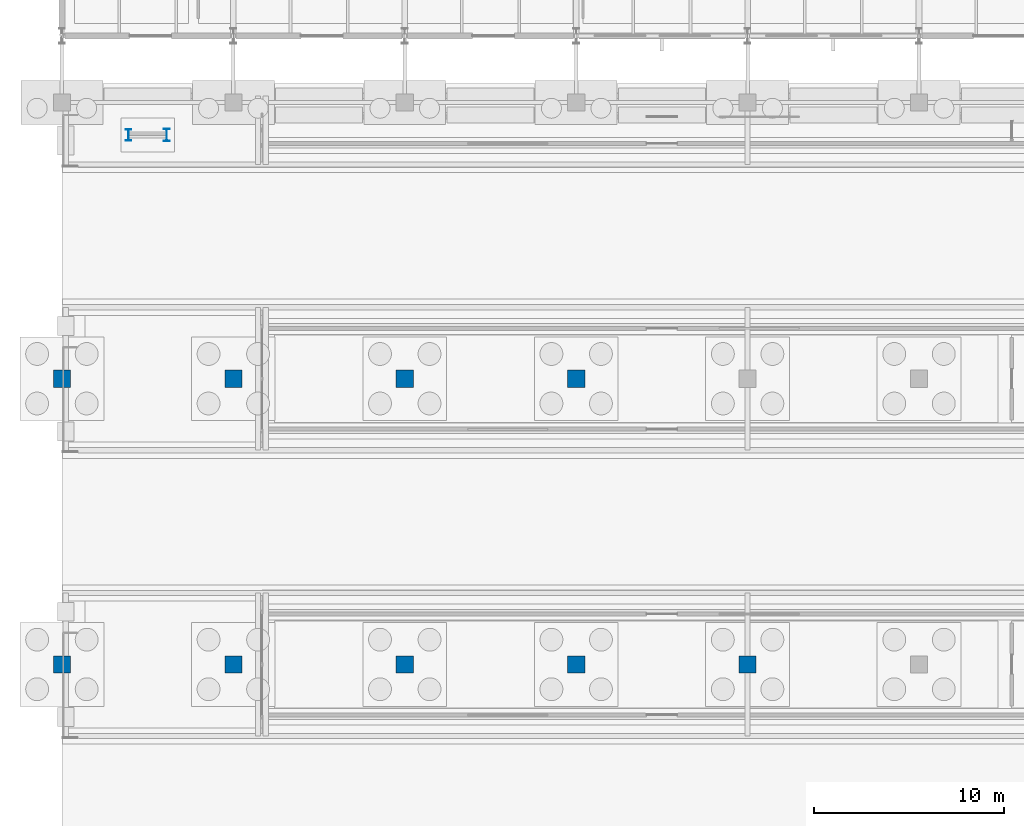
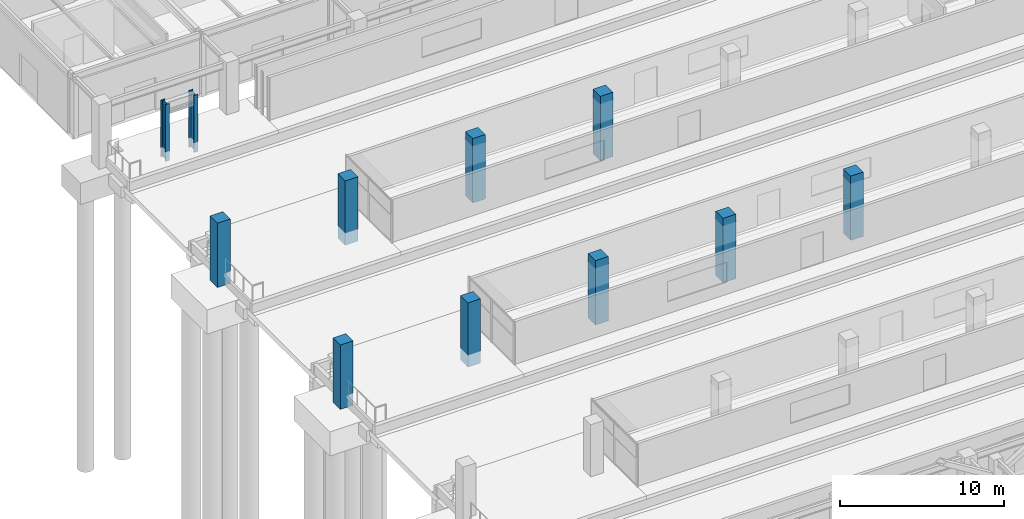
# One storey, part 18 of 160: 11 columns.
"""IFC4 building model written with IfcOpenShell, lengths in metres."""

from ifc_helpers import new_model, si_unit, direction, frame, origin, origin_2d, place, context, subcontext, project, spatial, rectangle, i_section, extrude, material, material_profile, profile_set, type_object, element, save


model = new_model("IFC4")

# Units and contexts
model_context = context("Model", 3, precision=1e-05, world=origin(), true_north=direction((0.0, 1.0)))
body_context = subcontext(model_context, "Body", "Model", "MODEL_VIEW")
ifc_project = project(units=[si_unit("LENGTHUNIT", "METRE"), si_unit("AREAUNIT", "SQUARE_METRE"), si_unit("VOLUMEUNIT", "CUBIC_METRE"), si_unit("PLANEANGLEUNIT", "RADIAN"), si_unit("MASSUNIT", "GRAM", prefix="KILO")], contexts=[model_context])

# Site, building, storey
site_placement = place(None, origin())
site = spatial("IfcSite", under=ifc_project, at=site_placement, CompositionType="ELEMENT")
building_placement = place(site_placement, origin())
building = spatial("IfcBuilding", under=site, at=building_placement, Name="Marlcrest Central Station", CompositionType="ELEMENT")
storey_placement = place(building_placement, origin())
storey = spatial("IfcBuildingStorey", under=building, at=storey_placement, Name="L00", CompositionType="ELEMENT", Elevation=0.0)

# Columns
ifc_material_1 = material(Name="Concrete C50/60", Category="concrete")
ifc_material_profile_1 = material_profile(ifc_material_1, rectangle(XDim=0.89990234375, YDim=0.89990234375, at=origin_2d()), Name="RC 900x900")
ifc_profile_set_1 = profile_set([ifc_material_profile_1], Name="Concrete C50/60")
column_type_1 = type_object("IfcColumnType", Name="RC-08", PredefinedType="COLUMN", material=ifc_profile_set_1)
for number, where, z_axis, x_axis, name in (
    (1, (0.0, 66.0, 0.0), (0.0, 0.0, 1.0), (1.0, 0.0, 0.0), "col-RC-08-L00-0416"),
    (2, (0.0, 81.0, 0.0), (0.0, 0.0, 1.0), (1.0, 0.0, 0.0), "col-RC-08-L00-0418"),
    (3, (9.0, 66.0, 0.0), (0.0, 0.0, 1.0), (1.0, 0.0, 0.0), "col-RC-08-L00-0426"),
    (4, (9.0, 81.0, 0.0), (0.0, 0.0, 1.0), (1.0, 0.0, 0.0), "col-RC-08-L00-0428"),
    (5, (18.0, 66.0, 0.0), (0.0, 0.0, 1.0), (1.0, 0.0, 0.0), "col-RC-08-L00-0436"),
    (6, (18.0, 81.0, 0.0), (0.0, 0.0, 1.0), (1.0, 0.0, 0.0), "col-RC-08-L00-0438"),
    (7, (27.0, 66.0, 0.0), (0.0, 0.0, 1.0), (1.0, 0.0, 0.0), "col-RC-08-L00-0446"),
    (8, (27.0, 81.0, 0.0), (0.0, 0.0, 1.0), (1.0, 0.0, 0.0), "col-RC-08-L00-0448"),
    (9, (36.0, 66.0, 0.0), (0.0, 0.0, 1.0), (1.0, 0.0, 0.0), "col-RC-08-L00-0456"),
):
    element("IfcColumn", number, at=place(storey_placement, frame(where, z_axis=z_axis, x_axis=x_axis)), inside=storey, type_object=column_type_1, Name=name, PredefinedType="COLUMN", context=body_context, shape_type="SweptSolid", body=[
        extrude(rectangle(XDim=0.89990234375, YDim=0.89990234375, at=origin_2d()), origin(), (0.0, 0.0, 1.0), 4.800048828125),
    ])
ifc_material_2 = material(Name="Steel S355", Category="steel")
ifc_material_profile_2 = material_profile(ifc_material_2, i_section(OverallWidth=0.300048828125, OverallDepth=0.590087890625, WebThickness=0.012939453125, FlangeThickness=0.02490234375, FilletRadius=0.027099609375, at=origin_2d()), Name="HEA 600")
ifc_profile_set_2 = profile_set([ifc_material_profile_2], Name="Steel S355")
column_type_2 = type_object("IfcColumnType", Name="SC-14", PredefinedType="COLUMN", material=ifc_profile_set_2)
column_1_placement = place(storey_placement, frame((3.5, 93.800048828125, 0.199951171875), z_axis=(0.0, 0.0, 1.0), x_axis=(1.0, 0.0, 0.0)))
element("IfcColumn", 10, at=column_1_placement, inside=storey, type_object=column_type_2, Name="col-SC-14-L00-0911", PredefinedType="COLUMN", context=body_context, shape_type="SweptSolid", body=[
    extrude(i_section(OverallWidth=0.300048828125, OverallDepth=0.590087890625, WebThickness=0.012939453125, FlangeThickness=0.02490234375, FilletRadius=0.027099609375, at=origin_2d()), origin(), (0.0, 0.0, 1.0), 4.25),
])
ifc_material_profile_3 = material_profile(ifc_material_2, i_section(OverallWidth=0.300048828125, OverallDepth=0.639892578125, WebThickness=0.013427734375, FlangeThickness=0.02587890625, FilletRadius=0.027099609375, at=origin_2d()), Name="HEA 650")
ifc_profile_set_3 = profile_set([ifc_material_profile_3], Name="Steel S355")
column_type_3 = type_object("IfcColumnType", Name="SC-15", PredefinedType="COLUMN", material=ifc_profile_set_3)
column_2_placement = place(storey_placement, frame((5.5, 93.800048828125, 0.199951171875), z_axis=(0.0, 0.0, 1.0), x_axis=(1.0, 0.0, 0.0)))
element("IfcColumn", 11, at=column_2_placement, inside=storey, type_object=column_type_3, Name="col-SC-15-L00-0912", PredefinedType="COLUMN", context=body_context, shape_type="SweptSolid", body=[
    extrude(i_section(OverallWidth=0.300048828125, OverallDepth=0.639892578125, WebThickness=0.013427734375, FlangeThickness=0.02587890625, FilletRadius=0.027099609375, at=origin_2d()), origin(), (0.0, 0.0, 1.0), 4.25),
])

save(model, "model.ifc")
